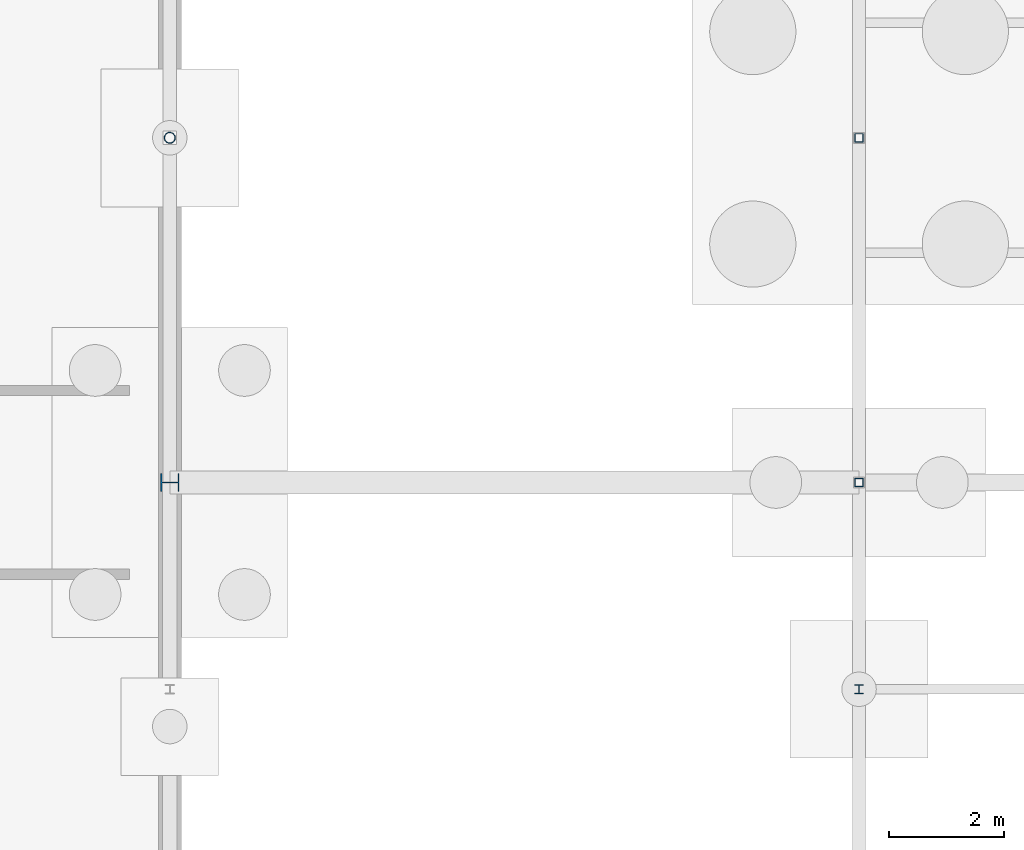
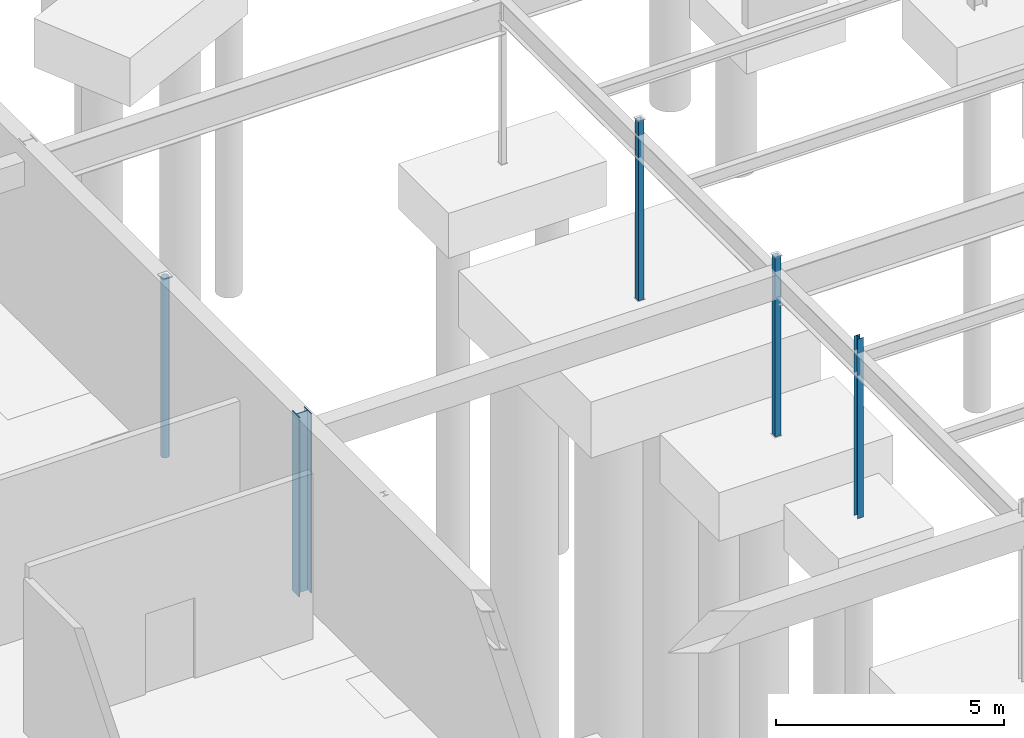
# One storey, part 46 of 136: 5 columns.
"""IFC4 building model written with IfcOpenShell, lengths in metres."""

from ifc_helpers import new_model, si_unit, direction, frame, origin, origin_2d, place, context, subcontext, project, spatial, hollow_rectangle, hollow_circle, i_section, extrude, material, material_profile, profile_set, type_object, element, save


model = new_model("IFC4")

# Units and contexts
model_context = context("Model", 3, precision=1e-05, world=origin(), true_north=direction((0.0, 1.0)))
body_context = subcontext(model_context, "Body", "Model", "MODEL_VIEW")
ifc_project = project(units=[si_unit("LENGTHUNIT", "METRE"), si_unit("AREAUNIT", "SQUARE_METRE"), si_unit("VOLUMEUNIT", "CUBIC_METRE"), si_unit("PLANEANGLEUNIT", "RADIAN"), si_unit("MASSUNIT", "GRAM", prefix="KILO")], contexts=[model_context])

# Site, building, storey
site_placement = place(None, origin())
site = spatial("IfcSite", under=ifc_project, at=site_placement, CompositionType="ELEMENT")
building_placement = place(site_placement, origin())
building = spatial("IfcBuilding", under=site, at=building_placement, Name="Tarnwether General Hospital", CompositionType="ELEMENT")
storey_placement = place(building_placement, frame((0.0, 0.0, -4.800048828125)))
storey = spatial("IfcBuildingStorey", under=building, at=storey_placement, Name="LG", CompositionType="ELEMENT", Elevation=-4.800048828125)

# Columns
ifc_material_1 = material(Name="Steel Grade 350 (350 MPa)", Category="steel")
ifc_material_profile_1 = material_profile(ifc_material_1, i_section(OverallWidth=0.30908203125, OverallDepth=0.321044921875, WebThickness=0.013916015625, FlangeThickness=0.021728515625, at=origin_2d()), Name="310UC137")
ifc_profile_set_1 = profile_set([ifc_material_profile_1], Name="Steel Grade 350 (350 MPa)")
column_type_1 = type_object("IfcColumnType", Name="COL-06", PredefinedType="COLUMN", material=ifc_profile_set_1)
column_1_placement = place(storey_placement, frame((132.0, 21.60009765625, 0.0), z_axis=(0.0, 0.0, 1.0), x_axis=(0.0, 1.0, 0.0)))
element("IfcColumn", 1, at=column_1_placement, inside=storey, type_object=column_type_1, Name="Column COLG-LG-13200_2160", PredefinedType="COLUMN", context=body_context, shape_type="SweptSolid", body=[
    extrude(i_section(OverallWidth=0.30908203125, OverallDepth=0.321044921875, WebThickness=0.013916015625, FlangeThickness=0.021728515625, at=origin_2d()), origin(), (0.0, 0.0, 1.0), 4.800048828125),
])
ifc_material_2 = material(Name="Steel Grade C350L0 (350 MPa)", Category="steel")
ifc_material_profile_2 = material_profile(ifc_material_2, hollow_circle(Radius=0.096923828125, WallThickness=0.008056640625, at=origin_2d()), Name="CHS193.7x8.0")
ifc_profile_set_2 = profile_set([ifc_material_profile_2], Name="Steel Grade C350L0 (350 MPa)")
column_type_2 = type_object("IfcColumnType", Name="COL-29", PredefinedType="COLUMN", material=ifc_profile_set_2)
column_2_placement = place(storey_placement, frame((132.0, 27.60009765625, 0.0), z_axis=(0.0, 0.0, 1.0), x_axis=(1.0, 0.0, 0.0)))
element("IfcColumn", 2, at=column_2_placement, inside=storey, type_object=column_type_2, Name="Column COLG-LG-13200_2760", PredefinedType="COLUMN", context=body_context, shape_type="SweptSolid", body=[
    extrude(hollow_circle(Radius=0.096923828125, WallThickness=0.008056640625, at=origin_2d()), origin(), (0.0, 0.0, 1.0), 4.800048828125),
])
ifc_material_3 = material(Name="Steel Grade 350 (350 MPa)", Category="steel")
ifc_material_profile_3 = material_profile(ifc_material_3, i_section(OverallWidth=0.152099609375, OverallDepth=0.152099609375, WebThickness=0.006103515625, FlangeThickness=0.0068359375, at=origin_2d()), Name="150UC23.4")
ifc_profile_set_3 = profile_set([ifc_material_profile_3], Name="Steel Grade 350 (350 MPa)")
column_type_3 = type_object("IfcColumnType", Name="COL-32", PredefinedType="COLUMN", material=ifc_profile_set_3)
column_3_placement = place(storey_placement, frame((144.0, 18.0, 0.0), z_axis=(0.0, 0.0, 1.0), x_axis=(1.0, 0.0, 0.0)))
element("IfcColumn", 3, at=column_3_placement, inside=storey, type_object=column_type_3, Name="Column COLG-LG-14400_1800", PredefinedType="COLUMN", context=body_context, shape_type="SweptSolid", body=[
    extrude(i_section(OverallWidth=0.152099609375, OverallDepth=0.152099609375, WebThickness=0.006103515625, FlangeThickness=0.0068359375, at=origin_2d()), origin(), (0.0, 0.0, 1.0), 4.800048828125),
])
ifc_material_4 = material(Name="Steel Grade C350L0 (350 MPa)", Category="steel")
ifc_material_profile_4 = material_profile(ifc_material_4, hollow_rectangle(XDim=0.14990234375, YDim=0.14990234375, WallThickness=0.008056640625, at=origin_2d()), Name="SHS150x150x8")
ifc_profile_set_4 = profile_set([ifc_material_profile_4], Name="Steel Grade C350L0 (350 MPa)")
column_type_4 = type_object("IfcColumnType", Name="COL-33", PredefinedType="COLUMN", material=ifc_profile_set_4)
for number, where, z_axis, x_axis, name in (
    (4, (144.0, 21.60009765625, 0.0), (0.0, 0.0, 1.0), (1.0, 0.0, 0.0), "Column COLG-LG-14400_2160"),
    (5, (144.0, 27.60009765625, 0.0), (0.0, 0.0, 1.0), (1.0, 0.0, 0.0), "Column COLG-LG-14400_2760"),
):
    element("IfcColumn", number, at=place(storey_placement, frame(where, z_axis=z_axis, x_axis=x_axis)), inside=storey, type_object=column_type_4, Name=name, PredefinedType="COLUMN", context=body_context, shape_type="SweptSolid", body=[
        extrude(hollow_rectangle(XDim=0.14990234375, YDim=0.14990234375, WallThickness=0.008056640625, at=origin_2d()), origin(), (0.0, 0.0, 1.0), 4.800048828125),
    ])

save(model, "model.ifc")
